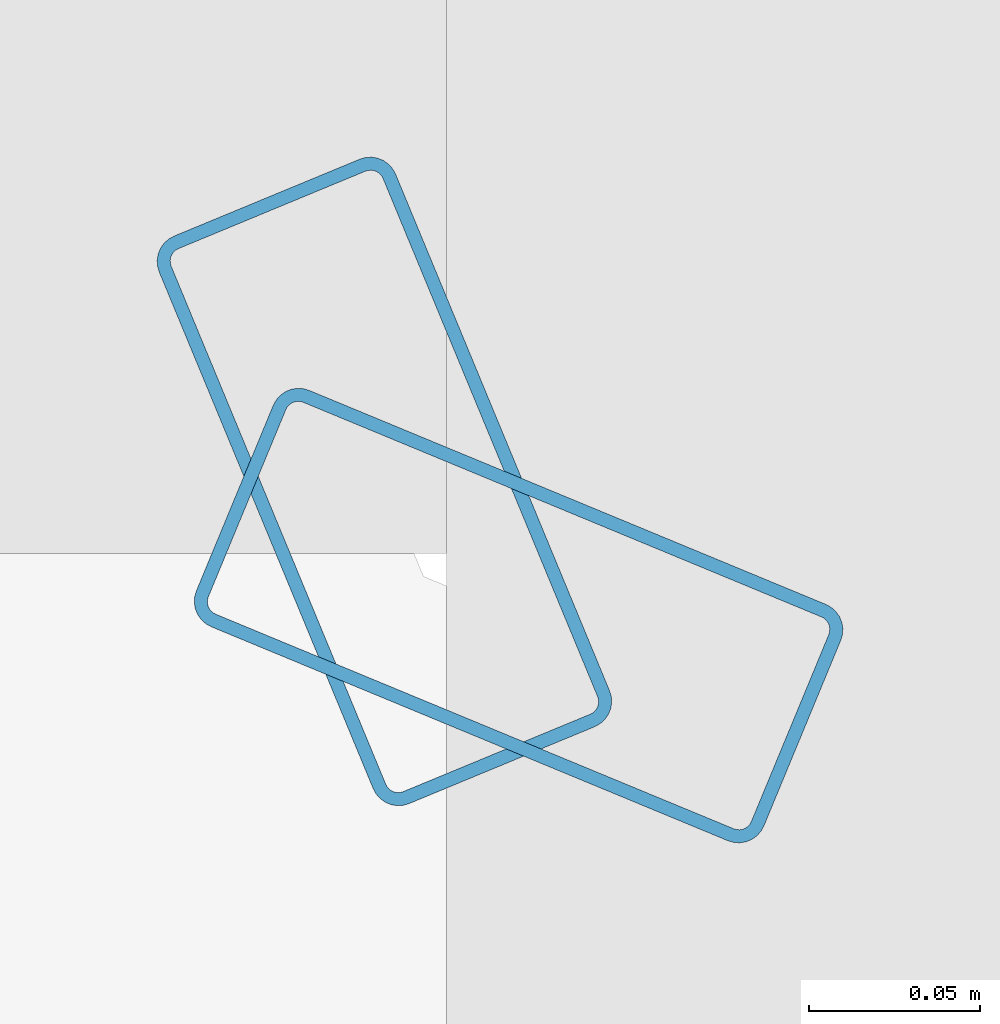
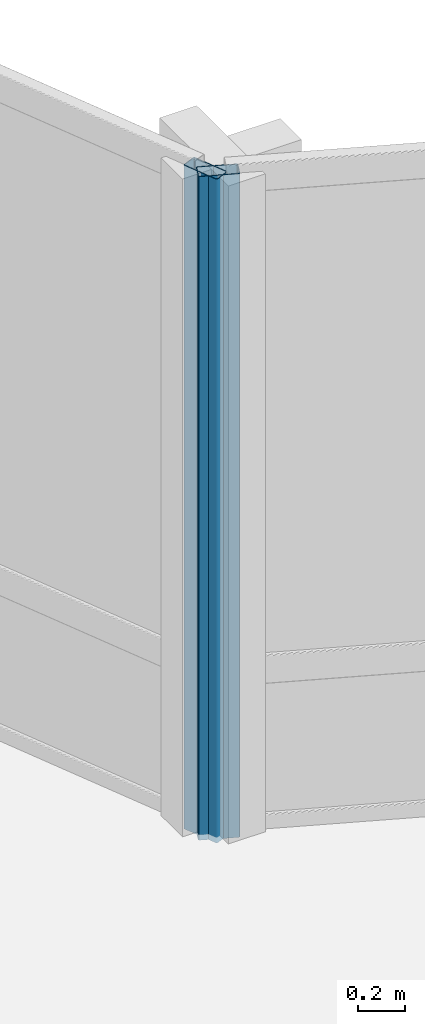
# One storey, part 8 of 29: 2 members, 2 elements without a shape of their own.
"""IFC4 building model written with IfcOpenShell, lengths in metres."""

import ifcopenshell
import ifcopenshell.guid

model = None  # the IFC model being written
_history = None  # IfcOwnerHistory: only IFC2X3 demands one
_inside = {}  # id of a spatial element -> (the spatial element, [elements in it])
_under = {}  # id of a project, library or spatial element -> (it, [spatial elements below it])
_declared = {}  # id of a project -> (the project, [libraries it declares])
_typed = {}  # id of a type object -> (the type object, [elements of that type])
_made_of = {}  # id of a material, layer set ... -> (it, [elements and type objects made of it])


def new_model(schema):
    """Start an empty IFC model of exactly this schema.

    Asked for "IFC4X3", IfcOpenShell would pick the latest addendum, in which some entities
    have other attributes; the version numbers below select the first issue.
    IFC2X3 requires an IfcOwnerHistory on every rooted entity: one is made here for all.
    """
    global model, _history
    if schema == "IFC4X3":
        model = ifcopenshell.file(schema_version=(4, 3, 0, 0))
    else:
        model = ifcopenshell.file(schema=schema)
    _inside.clear()
    _under.clear()
    _declared.clear()
    _typed.clear()
    _made_of.clear()
    _history = None
    if model.schema == "IFC2X3":
        org = make("IfcOrganization", Name="unknown")
        user = make(
            "IfcPersonAndOrganization",
            ThePerson=make("IfcPerson", FamilyName="unknown"),
            TheOrganization=org,
        )
        app = make(
            "IfcApplication",
            ApplicationDeveloper=org,
            Version="unknown",
            ApplicationFullName="unknown",
            ApplicationIdentifier="unknown",
        )
        _history = make(
            "IfcOwnerHistory",
            OwningUser=user,
            OwningApplication=app,
            ChangeAction="ADDED",
            CreationDate=0,
        )
    return model


def make(cls, **values):
    """One entity of the class cls with the attributes given. An attribute that is None is left unset."""
    return model.create_entity(
        cls, **{name: value for name, value in values.items() if value is not None}
    )


def rooted(cls, **values):
    """An entity with a GlobalId (a new one), such as an element, a storey or a relation."""
    return make(cls, GlobalId=ifcopenshell.guid.new(), OwnerHistory=_history, **values)


def si_unit(unit_type, name, prefix=None):
    """IfcSIUnit, for example si_unit("LENGTHUNIT", "METRE", prefix="MILLI")."""
    return make("IfcSIUnit", UnitType=unit_type, Prefix=prefix, Name=name)


def assignment(units):
    """IfcUnitAssignment: the units of a project."""
    return None if units is None else make("IfcUnitAssignment", Units=units)


def point(xyz):
    """IfcCartesianPoint."""
    return None if xyz is None else make("IfcCartesianPoint", Coordinates=xyz)


def direction(xyz):
    """IfcDirection."""
    return None if xyz is None else make("IfcDirection", DirectionRatios=xyz)


def frame(location, z_axis=None, x_axis=None):
    """IfcAxis2Placement3D, a coordinate frame: its origin and axes. An axis left out is left unset."""
    return make(
        "IfcAxis2Placement3D",
        Location=point(location),
        Axis=direction(z_axis),
        RefDirection=direction(x_axis),
    )


def frame_2d(location, x_axis=None):
    """IfcAxis2Placement2D, a coordinate frame in the plane: its origin and x axis."""
    return make(
        "IfcAxis2Placement2D", Location=point(location), RefDirection=direction(x_axis)
    )


def origin():
    """The frame at (0, 0, 0) with its axes left unset."""
    return frame((0.0, 0.0, 0.0))


def origin_2d():
    """The frame at (0, 0) in the plane with its x axis left unset."""
    return frame_2d((0.0, 0.0))


def place(relative_to, where):
    """IfcLocalPlacement: puts the frame where relative to a parent placement (None: the world)."""
    return make(
        "IfcLocalPlacement", PlacementRelTo=relative_to, RelativePlacement=where
    )


def context(
    kind, dimensions, precision=None, world=None, true_north=None, identifier=None
):
    """IfcGeometricRepresentationContext, for example the 3D "Model" context."""
    return make(
        "IfcGeometricRepresentationContext",
        ContextIdentifier=identifier,
        ContextType=kind,
        CoordinateSpaceDimension=dimensions,
        Precision=precision,
        WorldCoordinateSystem=world,
        TrueNorth=true_north,
    )


def subcontext(parent, identifier, kind, view, scale=None):
    """IfcGeometricRepresentationSubContext, for example "Body" below "Model"."""
    return make(
        "IfcGeometricRepresentationSubContext",
        ContextIdentifier=identifier,
        ContextType=kind,
        ParentContext=parent,
        TargetScale=scale,
        TargetView=view,
    )


def project(units=None, contexts=None):
    """IfcProject with its units and contexts."""
    return rooted(
        "IfcProject",
        Name="project",
        RepresentationContexts=contexts,
        UnitsInContext=assignment(units),
    )


def spatial(cls, under=None, at=None, **own):
    """A site, building, storey or space (cls), placed at a placement, below another one or the project."""
    s = rooted(cls, ObjectPlacement=at, **own)
    if under is not None:
        _under.setdefault(under.id(), (under, []))[1].append(s)
    return s


def profile(cls, at=None, kind="AREA", **sizes):
    """A parametric profile (cls). Its sizes go by their IFC names, for example OverallWidth=200.0."""
    return make(cls, ProfileType=kind, Position=at, **sizes)


def hollow_rectangle(**sizes):
    """IfcRectangleHollowProfileDef."""
    return profile("IfcRectangleHollowProfileDef", **sizes)


def extrude(swept, where, along, depth):
    """IfcExtrudedAreaSolid: the profile swept, set in the frame where, extruded along a direction by depth."""
    return make(
        "IfcExtrudedAreaSolid",
        SweptArea=swept,
        Position=where,
        ExtrudedDirection=direction(along),
        Depth=depth,
    )


def shape(context_of_items, identifier, shape_type, items):
    """IfcShapeRepresentation: the items that make up one representation, for example the "Body"."""
    return make(
        "IfcShapeRepresentation",
        ContextOfItems=context_of_items,
        RepresentationIdentifier=identifier,
        RepresentationType=shape_type,
        Items=items,
    )


def material(Name=None, Category=None):
    """IfcMaterial."""
    return make("IfcMaterial", Name=Name, Category=Category)


def layer(
    of_material, thickness, ventilated=None, Name=None, Category=None, Priority=None
):
    """IfcMaterialLayer: one layer of a wall or slab, of a material (None: an air gap)."""
    return make(
        "IfcMaterialLayer",
        Material=of_material,
        LayerThickness=thickness,
        IsVentilated=ventilated,
        Name=Name,
        Category=Category,
        Priority=Priority,
    )


def layer_set(layers, Name=None):
    """IfcMaterialLayerSet."""
    return make("IfcMaterialLayerSet", MaterialLayers=layers, LayerSetName=Name)


def material_profile(
    of_material, cross_section, Name=None, Category=None, Priority=None
):
    """IfcMaterialProfile: a cross section and its material."""
    return make(
        "IfcMaterialProfile",
        Name=Name,
        Material=of_material,
        Profile=cross_section,
        Priority=Priority,
        Category=Category,
    )


def profile_set(profiles, Name=None, composite=None):
    """IfcMaterialProfileSet."""
    return make(
        "IfcMaterialProfileSet",
        Name=Name,
        MaterialProfiles=profiles,
        CompositeProfile=composite,
    )


def made_of(thing, what):
    """Note that an element or type object is made of a material, layer set ...; save() writes the relation."""
    if what is not None:
        _made_of.setdefault(what.id(), (what, []))[1].append(thing)
    return thing


def type_object(cls, material=None, **own):
    """A type object (cls), such as IfcWallType, which elements share."""
    return made_of(rooted(cls, **own), material)


def element(
    cls,
    number,
    at=None,
    inside=None,
    cuts=None,
    type_object=None,
    material=None,
    context=None,
    identifier="Body",
    shape_type=None,
    held_by="IfcProductDefinitionShape",
    body=None,
    shapes=None,
    **own,
):
    """One element of the class cls, such as IfcWall. Its Tag is "e" and its number.

    at: its placement. inside: the storey or other place that contains it. cuts: it is an
    opening in that element (IfcRelVoidsElement). A single representation is given by context,
    identifier, shape_type and body (its items); several are given by shapes. held_by: the class
    of the entity that holds the representations. save() writes the other relations.
    """
    e = rooted(cls, Tag="e%d" % number, ObjectPlacement=at, **own)
    if body is not None:
        shapes = [shape(context, identifier, shape_type, body)]
    if shapes is not None:
        e.Representation = make(held_by, Representations=shapes)
    if inside is not None:
        _inside.setdefault(inside.id(), (inside, []))[1].append(e)
    if cuts is not None:
        rooted(
            "IfcRelVoidsElement", RelatingBuildingElement=cuts, RelatedOpeningElement=e
        )
    if type_object is not None:
        _typed.setdefault(type_object.id(), (type_object, []))[1].append(e)
    return made_of(e, material)


def aggregate(whole, parts):
    """IfcRelAggregates: a whole, such as a stair, and the parts it consists of."""
    return rooted("IfcRelAggregates", RelatingObject=whole, RelatedObjects=parts)


def save(model, path):
    """Write the relations noted so far, then the file.

    IfcRelAggregates (storeys below a building ...), IfcRelContainedInSpatialStructure (elements
    in a storey), IfcRelDefinesByType, IfcRelAssociatesMaterial and IfcRelDeclares: one each for
    every whole, place, type object, material and project.
    """
    for whole, parts in _under.values():
        aggregate(whole, parts)
    for where, things in _inside.values():
        rooted(
            "IfcRelContainedInSpatialStructure",
            RelatedElements=things,
            RelatingStructure=where,
        )
    for kind, things in _typed.values():
        rooted("IfcRelDefinesByType", RelatedObjects=things, RelatingType=kind)
    for what, things in _made_of.values():
        rooted("IfcRelAssociatesMaterial", RelatedObjects=things, RelatingMaterial=what)
    for by, libraries in _declared.values():
        rooted("IfcRelDeclares", RelatingContext=by, RelatedDefinitions=libraries)
    model.write(path)


model = new_model("IFC4")

# Units and contexts
model_context = context("Model", 3, precision=1e-05, world=origin(), true_north=direction((0.0, 1.0)))
body_context = subcontext(model_context, "Body", "Model", "MODEL_VIEW")
ifc_project = project(units=[si_unit("LENGTHUNIT", "METRE"), si_unit("AREAUNIT", "SQUARE_METRE"), si_unit("VOLUMEUNIT", "CUBIC_METRE"), si_unit("PLANEANGLEUNIT", "RADIAN"), si_unit("MASSUNIT", "GRAM", prefix="KILO")], contexts=[model_context])

# Site, building, storey
site_placement = place(None, origin())
site = spatial("IfcSite", under=ifc_project, at=site_placement, CompositionType="ELEMENT")
building_placement = place(site_placement, origin())
building = spatial("IfcBuilding", under=site, at=building_placement, Name="Solvaryn Broadcast Tower", CompositionType="ELEMENT")
storey_placement = place(building_placement, frame((0.0, 0.0, 147.0)))
storey = spatial("IfcBuildingStorey", under=building, at=storey_placement, Name="L36", CompositionType="ELEMENT", Elevation=147.0)

# Curtain wall, member
ifc_material_1 = material(Name="Aluminium and Terracotta Unitised Curtain Wall", Category="masonry")
ifc_layer = layer(ifc_material_1, 0.199951171875)
ifc_layer_set = layer_set([ifc_layer], Name="CW-SYS2-LOWMID")
curtain_wall_type = type_object("IfcCurtainWallType", Name="CW-SYS2-LOWMID", PredefinedType="NOTDEFINED", material=ifc_layer_set)
curtain_wall_1_placement = place(storey_placement, origin())
curtain_wall_1 = element("IfcCurtainWall", 1, at=curtain_wall_1_placement, inside=storey, type_object=curtain_wall_type, Name="L36 Curtain Wall CN1", PredefinedType="NOTDEFINED")
ifc_material_2 = material(Name="Anodised Aluminium 6063-T6", Category="aluminium")
ifc_material_profile = material_profile(ifc_material_2, hollow_rectangle(XDim=0.074951171875, YDim=0.179931640625, WallThickness=0.00390625, InnerFilletRadius=0.00390625, OuterFilletRadius=0.008056640625, at=origin_2d()))
ifc_profile_set = profile_set([ifc_material_profile], Name="Anodised Aluminium 6063-T6")
member_type = type_object("IfcMemberType", Name="CW-MUL-180", PredefinedType="MULLION", material=ifc_profile_set)
member_1_placement = place(storey_placement, frame((30.395751953125, 30.3564453125, 0.0), z_axis=(0.0, 0.0, 1.0), x_axis=(-0.382646127145, -0.923894983957, 0.0)))
member_1 = element("IfcMember", 2, at=member_1_placement, type_object=member_type, Name="CWS2 mullion 2", PredefinedType="MULLION", context=body_context, shape_type="SweptSolid", body=[
    extrude(hollow_rectangle(XDim=0.074951171875, YDim=0.179931640625, WallThickness=0.00390625, InnerFilletRadius=0.00390625, OuterFilletRadius=0.008056640625, at=origin_2d()), origin(), (0.0, 0.0, 1.0), 3.419921875),
])
aggregate(curtain_wall_1, [member_1])

curtain_wall_2_placement = place(storey_placement, origin())
curtain_wall_2 = element("IfcCurtainWall", 3, at=curtain_wall_2_placement, inside=storey, type_object=curtain_wall_type, Name="L36 Curtain Wall CN2", PredefinedType="NOTDEFINED")
member_2_placement = place(storey_placement, frame((30.3564453125, 30.395751953125, 0.0), z_axis=(0.0, 0.0, 1.0), x_axis=(-0.923894983957, -0.382646127145, 0.0)))
member_2 = element("IfcMember", 4, at=member_2_placement, type_object=member_type, Name="CWS2 mullion 1", PredefinedType="MULLION", context=body_context, shape_type="SweptSolid", body=[
    extrude(hollow_rectangle(XDim=0.074951171875, YDim=0.179931640625, WallThickness=0.00390625, InnerFilletRadius=0.00390625, OuterFilletRadius=0.008056640625, at=origin_2d()), origin(), (0.0, 0.0, 1.0), 3.419921875),
])
aggregate(curtain_wall_2, [member_2])

save(model, "model.ifc")
